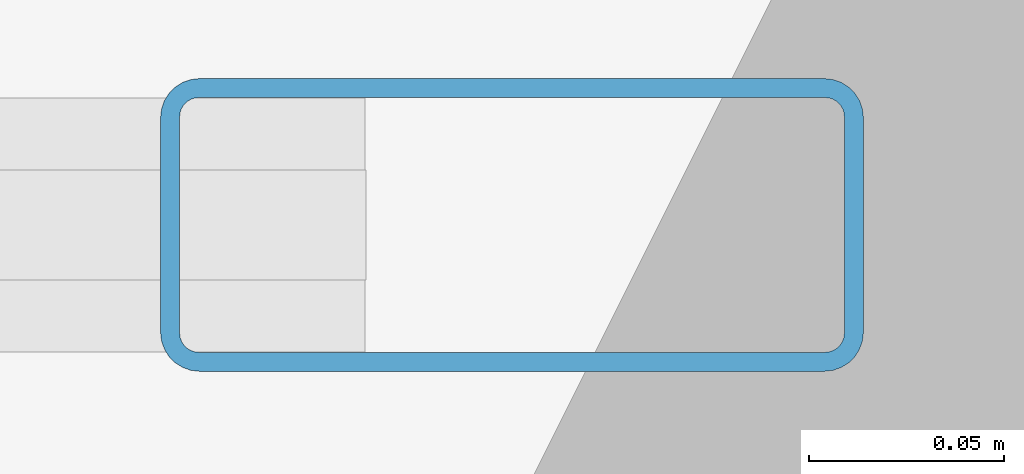
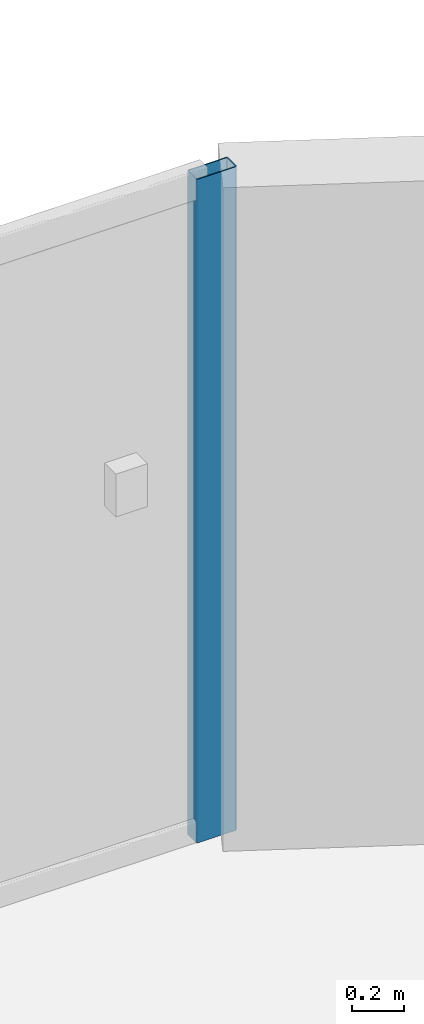
# One storey, part 8 of 22: 1 member, 1 element without a shape of its own.
"""IFC4 building model written with IfcOpenShell, lengths in metres."""

from ifc_helpers import new_model, si_unit, direction, frame, origin, origin_2d, place, context, subcontext, project, spatial, hollow_rectangle, extrude, material, layer, layer_set, material_profile, profile_set, type_object, element, aggregate, save


model = new_model("IFC4")

# Units and contexts
model_context = context("Model", 3, precision=1e-05, world=origin(), true_north=direction((0.0, 1.0)))
body_context = subcontext(model_context, "Body", "Model", "MODEL_VIEW")
ifc_project = project(units=[si_unit("LENGTHUNIT", "METRE"), si_unit("AREAUNIT", "SQUARE_METRE"), si_unit("VOLUMEUNIT", "CUBIC_METRE"), si_unit("PLANEANGLEUNIT", "RADIAN"), si_unit("MASSUNIT", "GRAM", prefix="KILO")], contexts=[model_context])

# Site, building, storey
site_placement = place(None, origin())
site = spatial("IfcSite", under=ifc_project, at=site_placement, CompositionType="ELEMENT")
building_placement = place(site_placement, origin())
building = spatial("IfcBuilding", under=site, at=building_placement, Name="Tarnavaz Court Tower", CompositionType="ELEMENT")
storey_placement = place(building_placement, frame((0.0, 0.0, 57.5)))
storey = spatial("IfcBuildingStorey", under=building, at=storey_placement, Name="L15", CompositionType="ELEMENT", Elevation=57.5)

# Curtain wall, member
ifc_material_1 = material(Name="Anodised Aluminium 6063-T6 and Solar Low-E Glazing", Category="aluminium")
ifc_layer = layer(ifc_material_1, 0.179931640625)
ifc_layer_set = layer_set([ifc_layer], Name="Anodised Aluminium 6063-T6 and Solar Low-E Glazing")
curtain_wall_type = type_object("IfcCurtainWallType", Name="CW-SYS-02", PredefinedType="NOTDEFINED", material=ifc_layer_set)
curtain_wall_placement = place(storey_placement, origin())
curtain_wall = element("IfcCurtainWall", 1, at=curtain_wall_placement, inside=storey, type_object=curtain_wall_type, Name="L15 Iwan Prow Curtain Wall 7", PredefinedType="NOTDEFINED")
ifc_material_2 = material(Name="Anodised Aluminium 6063-T6", Category="aluminium")
ifc_material_profile = material_profile(ifc_material_2, hollow_rectangle(XDim=0.074951171875, YDim=0.179931640625, WallThickness=0.0048828125, InnerFilletRadius=0.0048828125, OuterFilletRadius=0.010009765625, at=origin_2d()), Name="ALU RHS 180X75X5")
ifc_profile_set = profile_set([ifc_material_profile], Name="Anodised Aluminium 6063-T6")
member_type = type_object("IfcMemberType", Name="CW-MUL-180", PredefinedType="MULLION", material=ifc_profile_set)
member_placement = place(storey_placement, frame((4.3125, 25.050048828125, 0.0), z_axis=(0.0, 0.0, 1.0), x_axis=(0.0, 1.0, 0.0)))
member = element("IfcMember", 2, at=member_placement, type_object=member_type, Name="CW mullion 4", PredefinedType="MULLION", context=body_context, shape_type="SweptSolid", body=[
    extrude(hollow_rectangle(XDim=0.074951171875, YDim=0.179931640625, WallThickness=0.0048828125, InnerFilletRadius=0.0048828125, OuterFilletRadius=0.010009765625, at=origin_2d()), origin(), (0.0, 0.0, 1.0), 3.10009765625),
])
aggregate(curtain_wall, [member])

save(model, "model.ifc")
